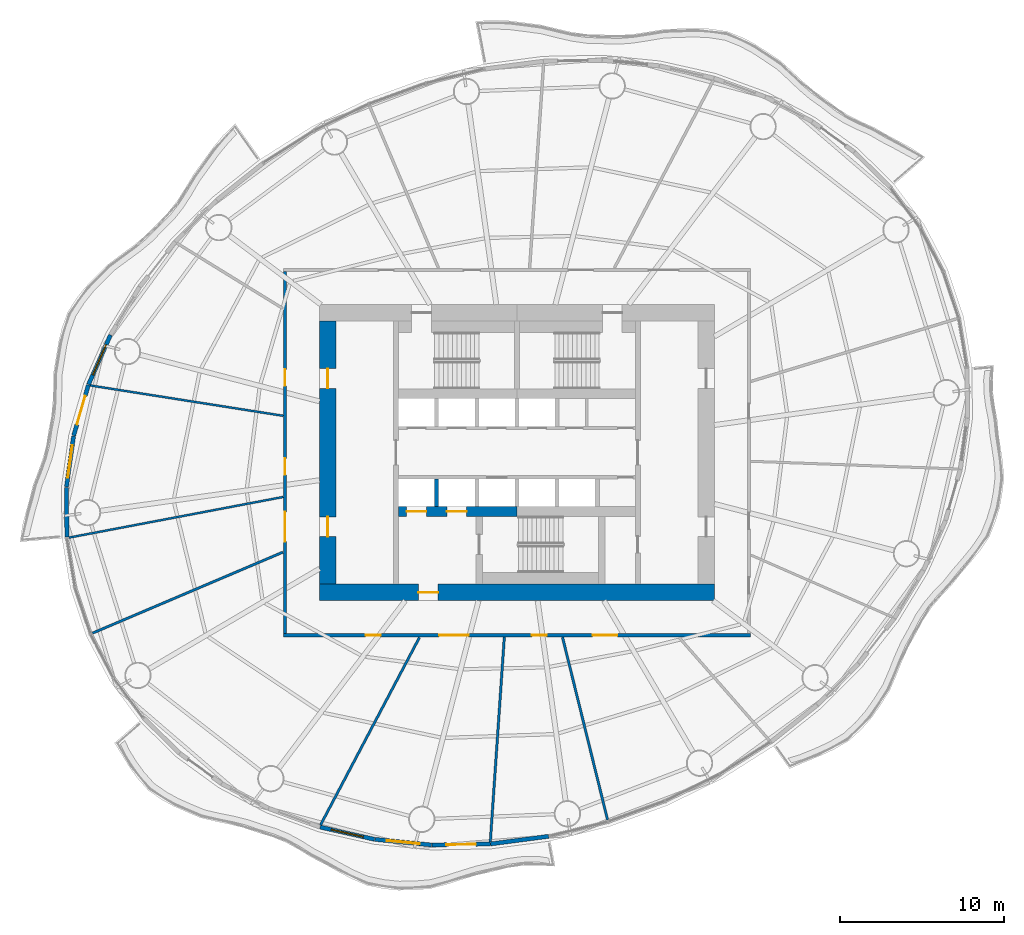
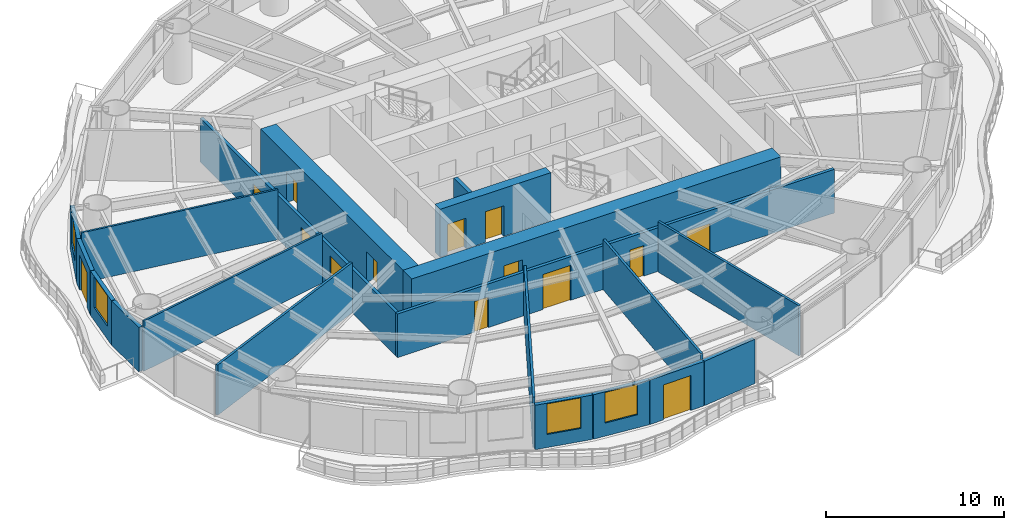
# One storey, part 8 of 14: 20 walls, 14 doors, 4 windows, 18 openings.
"""IFC4 building model written with IfcOpenShell, lengths in metres."""

from ifc_helpers import new_model, si_unit, direction, frame, frame_2d, origin, place, context, subcontext, project, spatial, rectangle, extrude, material, layer, layer_set, type_object, element, fill, save


model = new_model("IFC4")

# Units and contexts
model_context = context("Model", 3, precision=1e-05, world=origin(), true_north=direction((0.0, 1.0)))
body_context = subcontext(model_context, "Body", "Model", "MODEL_VIEW")
ifc_project = project(units=[si_unit("LENGTHUNIT", "METRE"), si_unit("AREAUNIT", "SQUARE_METRE"), si_unit("VOLUMEUNIT", "CUBIC_METRE"), si_unit("PLANEANGLEUNIT", "RADIAN"), si_unit("MASSUNIT", "GRAM", prefix="KILO")], contexts=[model_context])

# Site, building, storey
site_placement = place(None, origin())
site = spatial("IfcSite", under=ifc_project, at=site_placement, CompositionType="ELEMENT")
building_placement = place(site_placement, origin())
building = spatial("IfcBuilding", under=site, at=building_placement, Name="Vermilion Reach Broadcast Tower", CompositionType="ELEMENT")
storey_placement = place(building_placement, frame((0.0, 0.0, 124.60009765625)))
storey = spatial("IfcBuildingStorey", under=building, at=storey_placement, Name="L29", CompositionType="ELEMENT", Elevation=124.60009765625)

# Wall, openings, doors
ifc_material_1 = material(Name="Concrete C70", Category="concrete")
ifc_layer_1 = layer(ifc_material_1, 0.60009765625)
ifc_layer_set_1 = layer_set([ifc_layer_1], Name="Core inner wall 600 mm Concrete C70")
wall_type_1 = type_object("IfcWallType", Name="Core inner wall 600 mm Concrete C70", PredefinedType="SHEAR", material=ifc_layer_set_1)
wall_1_placement = place(storey_placement, frame((-13.199951171875, -3.580078125, 0.0), z_axis=(0.0, 0.0, 1.0), x_axis=(1.0, 0.0, 0.0)))
wall_1 = element("IfcWall", 1, at=wall_1_placement, inside=storey, type_object=wall_type_1, Name="L29 core wall wisW", PredefinedType="SHEAR", context=body_context, shape_type="SweptSolid", body=[
    extrude(rectangle(XDim=7.199951171875, YDim=0.60009765625, at=frame_2d((3.60009765625, 0.0))), origin(), (0.0, 0.0, 1.0), 3.2998046875),
])
opening_1_placement = place(wall_1_placement, frame((0.495849609375, 0.0, 0.0)))
opening_1 = element("IfcOpeningElement", 2, at=opening_1_placement, cuts=wall_1, Name="Opening LD1", PredefinedType="OPENING", context=body_context, shape_type="SweptSolid", body=[
    extrude(rectangle(XDim=1.199951171875, YDim=2.10009765625, at=frame_2d((0.60009765625, 1.050048828125))), frame((0.0, 0.31005859375, 0.0), z_axis=(0.0, -1.0, 0.0), x_axis=(1.0, 0.0, 0.0)), (0.0, 0.0, 1.0), 0.6201171875),
])
opening_2_placement = place(wall_1_placement, frame((2.9375, 0.0, 0.0)))
opening_2 = element("IfcOpeningElement", 3, at=opening_2_placement, cuts=wall_1, Name="Opening LD1", PredefinedType="OPENING", context=body_context, shape_type="SweptSolid", body=[
    extrude(rectangle(XDim=1.199951171875, YDim=2.10009765625, at=frame_2d((0.60009765625, 1.050048828125))), frame((0.0, 0.31005859375, 0.0), z_axis=(0.0, -1.0, 0.0), x_axis=(1.0, 0.0, 0.0)), (0.0, 0.0, 1.0), 0.6201171875),
])
ifc_material_2 = material(Name="Stainless steel", Category="steel")
door_type_1 = type_object("IfcDoorType", Name="Landing door 1200 x 2100", OperationType="DOUBLE_DOOR_SLIDING", PredefinedType="NOTDEFINED", material=ifc_material_2)
door_1_placement = place(opening_1_placement, origin())
door_1 = element("IfcDoor", 4, at=door_1_placement, inside=storey, type_object=door_type_1, Name="L29 landing door FF1", OperationType="DOUBLE_DOOR_SLIDING", OverallHeight=2.10009765625, OverallWidth=1.199951171875, PredefinedType="NOTDEFINED", context=body_context, shape_type="SweptSolid", body=[
    extrude(rectangle(XDim=1.199951171875, YDim=2.10009765625, at=frame_2d((0.60009765625, 1.050048828125))), frame((0.0, 0.02490234375, 0.0), z_axis=(0.0, -1.0, 0.0), x_axis=(1.0, 0.0, 0.0)), (0.0, 0.0, 1.0), 0.050048828125),
])
fill(opening_1, door_1)
door_2_placement = place(opening_2_placement, origin())
door_2 = element("IfcDoor", 5, at=door_2_placement, inside=storey, type_object=door_type_1, Name="L29 landing door FF2", OperationType="DOUBLE_DOOR_SLIDING", OverallHeight=2.10009765625, OverallWidth=1.199951171875, PredefinedType="NOTDEFINED", context=body_context, shape_type="SweptSolid", body=[
    extrude(rectangle(XDim=1.199951171875, YDim=2.10009765625, at=frame_2d((0.60009765625, 1.050048828125))), frame((0.0, 0.02490234375, 0.0), z_axis=(0.0, -1.0, 0.0), x_axis=(1.0, 0.0, 0.0)), (0.0, 0.0, 1.0), 0.050048828125),
])
fill(opening_2, door_2)

# Wall, opening, door
ifc_material_3 = material(Name="Concrete C70", Category="concrete")
ifc_layer_2 = layer(ifc_material_3, 1.0)
ifc_layer_set_2 = layer_set([ifc_layer_2], Name="Core outer wall 1000 mm Concrete C70")
wall_type_2 = type_object("IfcWallType", Name="Core outer wall 1000 mm Concrete C70", PredefinedType="SHEAR", material=ifc_layer_set_2)
wall_2_placement = place(storey_placement, frame((-18.0, -8.5, 0.0), z_axis=(0.0, 0.0, 1.0), x_axis=(1.0, 0.0, 0.0)))
wall_2 = element("IfcWall", 6, at=wall_2_placement, inside=storey, type_object=wall_type_2, Name="L29 core wall os", PredefinedType="SHEAR", context=body_context, shape_type="SweptSolid", body=[
    extrude(rectangle(XDim=24.0, YDim=1.0, at=frame_2d((12.0, 0.0))), origin(), (0.0, 0.0, 1.0), 3.2998046875),
])
opening_3_placement = place(wall_2_placement, frame((6.0, 0.0, 0.0)))
opening_3 = element("IfcOpeningElement", 7, at=opening_3_placement, cuts=wall_2, Name="Opening D02", PredefinedType="OPENING", context=body_context, shape_type="SweptSolid", body=[
    extrude(rectangle(XDim=1.199951171875, YDim=2.10009765625, at=frame_2d((0.60009765625, 1.050048828125))), frame((0.0, 0.510009765625, 0.0), z_axis=(0.0, -1.0, 0.0), x_axis=(1.0, 0.0, 0.0)), (0.0, 0.0, 1.0), 1.02001953125),
])
ifc_material_4 = material(Name="Painted steel fire door", Category="steel")
door_type_2 = type_object("IfcDoorType", Name="Firefighting lobby door 1200 x 2100", OperationType="DOUBLE_DOOR_SINGLE_SWING", PredefinedType="NOTDEFINED", material=ifc_material_4)
door_3_placement = place(opening_3_placement, origin())
door_3 = element("IfcDoor", 8, at=door_3_placement, inside=storey, type_object=door_type_2, Name="L29 ffdoor door FFL", OperationType="DOUBLE_DOOR_SINGLE_SWING", OverallHeight=2.10009765625, OverallWidth=1.199951171875, PredefinedType="NOTDEFINED", context=body_context, shape_type="SweptSolid", body=[
    extrude(rectangle(XDim=1.199951171875, YDim=2.10009765625, at=frame_2d((0.60009765625, 1.050048828125))), frame((0.0, 0.02490234375, 0.0), z_axis=(0.0, -1.0, 0.0), x_axis=(1.0, 0.0, 0.0)), (0.0, 0.0, 1.0), 0.050048828125),
])
fill(opening_3, door_3)

# Wall, openings, doors
wall_3_placement = place(storey_placement, frame((-17.5, 8.0, 0.0), z_axis=(0.0, 0.0, 1.0), x_axis=(0.0, -1.0, 0.0)))
wall_3 = element("IfcWall", 9, at=wall_3_placement, inside=storey, type_object=wall_type_2, Name="L29 core wall ow", PredefinedType="SHEAR", context=body_context, shape_type="SweptSolid", body=[
    extrude(rectangle(XDim=16.0, YDim=1.0, at=frame_2d((8.0, 0.0))), origin(), (0.0, 0.0, 1.0), 3.2998046875),
])
opening_4_placement = place(wall_3_placement, frame((11.89990234375, 0.0, 0.0)))
opening_4 = element("IfcOpeningElement", 10, at=opening_4_placement, cuts=wall_3, Name="Opening D03", PredefinedType="OPENING", context=body_context, shape_type="SweptSolid", body=[
    extrude(rectangle(XDim=1.199951171875, YDim=2.10009765625, at=frame_2d((0.60009765625, 1.050048828125))), frame((0.0, 0.510009765625, 0.0), z_axis=(0.0, -1.0, 0.0), x_axis=(1.0, 0.0, 0.0)), (0.0, 0.0, 1.0), 1.02001953125),
])
opening_5_placement = place(wall_3_placement, frame((2.89990234375, 0.0, 0.0)))
opening_5 = element("IfcOpeningElement", 11, at=opening_5_placement, cuts=wall_3, Name="Opening D03", PredefinedType="OPENING", context=body_context, shape_type="SweptSolid", body=[
    extrude(rectangle(XDim=1.199951171875, YDim=2.10009765625, at=frame_2d((0.60009765625, 1.050048828125))), frame((0.0, 0.510009765625, 0.0), z_axis=(0.0, -1.0, 0.0), x_axis=(1.0, 0.0, 0.0)), (0.0, 0.0, 1.0), 1.02001953125),
])
ifc_material_5 = material(Name="Painted steel fire door", Category="steel")
door_type_3 = type_object("IfcDoorType", Name="Core lobby door 1200 x 2100", OperationType="DOUBLE_DOOR_SINGLE_SWING", PredefinedType="NOTDEFINED", material=ifc_material_5)
door_4_placement = place(opening_4_placement, origin())
door_4 = element("IfcDoor", 12, at=door_4_placement, inside=storey, type_object=door_type_3, Name="L29 slot door W0", OperationType="DOUBLE_DOOR_SINGLE_SWING", OverallHeight=2.10009765625, OverallWidth=1.199951171875, PredefinedType="NOTDEFINED", context=body_context, shape_type="SweptSolid", body=[
    extrude(rectangle(XDim=1.199951171875, YDim=2.10009765625, at=frame_2d((0.60009765625, 1.050048828125))), frame((0.0, 0.02490234375, 0.0), z_axis=(0.0, -1.0, 0.0), x_axis=(1.0, 0.0, 0.0)), (0.0, 0.0, 1.0), 0.050048828125),
])
fill(opening_4, door_4)
door_5_placement = place(opening_5_placement, origin())
door_5 = element("IfcDoor", 13, at=door_5_placement, inside=storey, type_object=door_type_3, Name="L29 slot door W1", OperationType="DOUBLE_DOOR_SINGLE_SWING", OverallHeight=2.10009765625, OverallWidth=1.199951171875, PredefinedType="NOTDEFINED", context=body_context, shape_type="SweptSolid", body=[
    extrude(rectangle(XDim=1.199951171875, YDim=2.10009765625, at=frame_2d((0.60009765625, 1.050048828125))), frame((0.0, 0.02490234375, 0.0), z_axis=(0.0, -1.0, 0.0), x_axis=(1.0, 0.0, 0.0)), (0.0, 0.0, 1.0), 0.050048828125),
])
fill(opening_5, door_5)

# Walls
ifc_material_6 = material(Name="Concrete C50", Category="concrete")
ifc_layer_3 = layer(ifc_material_6, 0.25)
ifc_layer_set_3 = layer_set([ifc_layer_3], Name="Core shaft wall 250 mm Concrete C50")
wall_type_3 = type_object("IfcWallType", Name="Core shaft wall 250 mm Concrete C50", PredefinedType="SHEAR", material=ifc_layer_set_3)
wall_4_placement = place(storey_placement, frame((-10.88330078125, -1.60009765625, 0.0), z_axis=(0.0, 0.0, 1.0), x_axis=(0.0, -1.0, 0.0)))
element("IfcWall", 14, at=wall_4_placement, inside=storey, type_object=wall_type_3, Name="L29 core wall psS0", PredefinedType="SHEAR", context=body_context, shape_type="SweptSolid", body=[
    extrude(rectangle(XDim=1.679931640625, YDim=0.25, at=frame_2d((0.83984375, 0.0))), origin(), (0.0, 0.0, 1.0), 3.2998046875),
])
ifc_material_7 = material(Name="Fire-rated plasterboard on steel stud", Category="steel")
ifc_layer_4 = layer(ifc_material_7, 0.125)
ifc_layer_set_4 = layer_set([ifc_layer_4], Name="Partition 125 fire-rated stud")
wall_type_4 = type_object("IfcWallType", Name="Partition 125 fire-rated stud", PredefinedType="PARTITIONING", material=ifc_layer_set_4)
wall_5_placement = place(storey_placement, frame((-31.93603515625, 4.082275390625, 0.0), z_axis=(0.0, 0.0, 1.0), x_axis=(0.98783839034, -0.155484129645, 0.0)))
element("IfcWall", 15, at=wall_5_placement, inside=storey, type_object=wall_type_4, Name="Partition 29.05", PredefinedType="PARTITIONING", context=body_context, shape_type="SweptSolid", body=[
    extrude(rectangle(XDim=11.87060546875, YDim=0.125, at=frame_2d((5.935302734375, 0.0))), origin(), (0.0, 0.0, 1.0), 3.449951171875),
])
wall_6_placement = place(storey_placement, frame((-33.237548828125, -5.16796875, 0.0), z_axis=(0.0, 0.0, 1.0), x_axis=(0.982472572184, 0.186407201863, 0.0)))
element("IfcWall", 16, at=wall_6_placement, inside=storey, type_object=wall_type_4, Name="Partition 29.06", PredefinedType="PARTITIONING", context=body_context, shape_type="SweptSolid", body=[
    extrude(rectangle(XDim=13.25830078125, YDim=0.125, at=frame_2d((6.629150390625, 0.0))), origin(), (0.0, 0.0, 1.0), 3.449951171875),
])
ifc_material_8 = material(Name="Lightweight concrete block, plastered", Category="concrete")
ifc_layer_5 = layer(ifc_material_8, 0.14990234375)
ifc_layer_set_5 = layer_set([ifc_layer_5], Name="Partition 150 lightweight block")
wall_type_5 = type_object("IfcWallType", Name="Partition 150 lightweight block", PredefinedType="PARTITIONING", material=ifc_layer_set_5)
wall_7_placement = place(storey_placement, frame((-31.7998046875, -10.97265625, 0.0), z_axis=(0.0, 0.0, 1.0), x_axis=(0.920233208225, 0.391370467052, 0.0)))
element("IfcWall", 17, at=wall_7_placement, inside=storey, type_object=wall_type_5, Name="Partition 29.07", PredefinedType="PARTITIONING", context=body_context, shape_type="SweptSolid", body=[
    extrude(rectangle(XDim=12.573486328125, YDim=0.14990234375, at=frame_2d((6.28662109375, 0.0))), origin(), (0.0, 0.0, 1.0), 3.449951171875),
])
wall_8_placement = place(storey_placement, frame((-17.9462890625, -22.644287109375, 0.0), z_axis=(0.0, 0.0, 1.0), x_axis=(0.466623744036, 0.884455924002, 0.0)))
element("IfcWall", 18, at=wall_8_placement, inside=storey, type_object=wall_type_5, Name="Partition 29.08", PredefinedType="PARTITIONING", context=body_context, shape_type="SweptSolid", body=[
    extrude(rectangle(XDim=12.899658203125, YDim=0.14990234375, at=frame_2d((6.44970703125, 0.0))), origin(), (0.0, 0.0, 1.0), 3.449951171875),
])
wall_9_placement = place(storey_placement, frame((-7.62158203125, -23.667236328125, 0.0), z_axis=(0.0, 0.0, 1.0), x_axis=(0.068347975622, 0.997661542923, 0.0)))
element("IfcWall", 19, at=wall_9_placement, inside=storey, type_object=wall_type_5, Name="Partition 29.09", PredefinedType="PARTITIONING", context=body_context, shape_type="SweptSolid", body=[
    extrude(rectangle(XDim=12.491455078125, YDim=0.14990234375, at=frame_2d((6.24560546875, 0.0))), origin(), (0.0, 0.0, 1.0), 3.449951171875),
])
wall_10_placement = place(storey_placement, frame((-0.492431640625, -22.32568359375, 0.0), z_axis=(0.0, 0.0, 1.0), x_axis=(-0.239516767383, 0.970892227872, 0.0)))
element("IfcWall", 20, at=wall_10_placement, inside=storey, type_object=wall_type_5, Name="Partition 29.10", PredefinedType="PARTITIONING", context=body_context, shape_type="SweptSolid", body=[
    extrude(rectangle(XDim=11.440673828125, YDim=0.14990234375, at=frame_2d((5.72021484375, 0.0))), origin(), (0.0, 0.0, 1.0), 3.449951171875),
])

# Wall, opening, window
ifc_material_9 = material(Name="Terracotta rainscreen cladding", Category="masonry")
ifc_layer_6 = layer(ifc_material_9, 0.25)
ifc_layer_set_6 = layer_set([ifc_layer_6], Name="Terracotta rainscreen wall 250")
wall_type_6 = type_object("IfcWallType", Name="Terracotta rainscreen wall 250", PredefinedType="SOLIDWALL", material=ifc_layer_set_6)
wall_11_placement = place(storey_placement, frame((-30.713134765625, 7.1494140625, 0.0), z_axis=(0.0, 0.0, 1.0), x_axis=(-0.405155306017, -0.914247875582, 0.0)))
wall_11 = element("IfcWall", 21, at=wall_11_placement, inside=storey, type_object=wall_type_6, Name="External wall L29 18", PredefinedType="SOLIDWALL", context=body_context, shape_type="SweptSolid", body=[
    extrude(rectangle(XDim=3.295654296875, YDim=0.25, at=frame_2d((1.64794921875, 0.0))), origin(), (0.0, 0.0, 1.0), 3.0498046875),
])
opening_6_placement = place(wall_11_placement, frame((0.647705078125, 0.0, 0.89990234375)))
opening_6 = element("IfcOpeningElement", 22, at=opening_6_placement, cuts=wall_11, Name="Opening W03", PredefinedType="OPENING", context=body_context, shape_type="SweptSolid", body=[
    extrude(rectangle(XDim=2.0, YDim=2.10009765625, at=frame_2d((1.0, 1.050048828125))), frame((0.0, 0.135009765625, 0.0), z_axis=(0.0, -1.0, 0.0), x_axis=(1.0, 0.0, 0.0)), (0.0, 0.0, 1.0), 0.27001953125),
])
ifc_material_10 = material(Name="Low-e laminated clear glass in aluminium frame", Category="aluminium")
window_type = type_object("IfcWindowType", Name="Punched window 2000 x 2100 sill 900", PartitioningType="SINGLE_PANEL", PredefinedType="WINDOW", material=ifc_material_10)
window_1_placement = place(opening_6_placement, origin())
window_1 = element("IfcWindow", 23, at=window_1_placement, inside=storey, type_object=window_type, Name="Window L29 18", OverallHeight=2.10009765625, OverallWidth=2.0, PartitioningType="SINGLE_PANEL", PredefinedType="WINDOW", context=body_context, shape_type="SweptSolid", body=[
    extrude(rectangle(XDim=2.0, YDim=2.10009765625, at=frame_2d((1.0, 1.050048828125))), frame((0.0, 0.030029296875, 0.0), z_axis=(0.0, -1.0, 0.0), x_axis=(1.0, 0.0, 0.0)), (0.0, 0.0, 1.0), 0.06005859375),
])
fill(opening_6, window_1)

# Wall, opening, door
wall_12_placement = place(storey_placement, frame((-32.056884765625, 4.113037109375, 0.0), z_axis=(0.0, 0.0, 1.0), x_axis=(-0.27825961791, -0.960505900576, 0.0)))
wall_12 = element("IfcWall", 24, at=wall_12_placement, inside=storey, type_object=wall_type_6, Name="External wall L29 19", PredefinedType="SOLIDWALL", context=body_context, shape_type="SweptSolid", body=[
    extrude(rectangle(XDim=3.2060546875, YDim=0.25, at=frame_2d((1.60302734375, 0.0))), origin(), (0.0, 0.0, 1.0), 3.0498046875),
])
opening_7_placement = place(wall_12_placement, frame((0.702880859375, 0.0, 0.0)))
opening_7 = element("IfcOpeningElement", 25, at=opening_7_placement, cuts=wall_12, Name="Opening D70", PredefinedType="OPENING", context=body_context, shape_type="SweptSolid", body=[
    extrude(rectangle(XDim=1.800048828125, YDim=2.39990234375, at=frame_2d((0.89990234375, 1.199951171875))), frame((0.0, 0.135009765625, 0.0), z_axis=(0.0, -1.0, 0.0), x_axis=(1.0, 0.0, 0.0)), (0.0, 0.0, 1.0), 0.27001953125),
])
ifc_material_11 = material(Name="Low-e laminated clear glass in aluminium frame", Category="aluminium")
door_type_4 = type_object("IfcDoorType", Name="Balcony sliding door 1800 x 2400", OperationType="DOUBLE_DOOR_SLIDING", PredefinedType="DOOR", material=ifc_material_11)
door_6_placement = place(opening_7_placement, origin())
door_6 = element("IfcDoor", 26, at=door_6_placement, inside=storey, type_object=door_type_4, Name="Balcony door L29 run 05", OperationType="DOUBLE_DOOR_SLIDING", OverallHeight=2.39990234375, OverallWidth=1.800048828125, PredefinedType="DOOR", context=body_context, shape_type="SweptSolid", body=[
    extrude(rectangle(XDim=1.800048828125, YDim=2.39990234375, at=frame_2d((0.89990234375, 1.199951171875))), frame((0.0, 0.02490234375, 0.0), z_axis=(0.0, -1.0, 0.0), x_axis=(1.0, 0.0, 0.0)), (0.0, 0.0, 1.0), 0.050048828125),
])
fill(opening_7, door_6)

# Wall, opening, window
wall_13_placement = place(storey_placement, frame((-32.954345703125, 1.008544921875, 0.0), z_axis=(0.0, 0.0, 1.0), x_axis=(-0.139133868146, -0.990273581762, 0.0)))
wall_13 = element("IfcWall", 27, at=wall_13_placement, inside=storey, type_object=wall_type_6, Name="External wall L29 20", PredefinedType="SOLIDWALL", context=body_context, shape_type="SweptSolid", body=[
    extrude(rectangle(XDim=3.123291015625, YDim=0.25, at=frame_2d((1.5615234375, 0.0))), origin(), (0.0, 0.0, 1.0), 3.0498046875),
])
opening_8_placement = place(wall_13_placement, frame((0.561767578125, 0.0, 0.89990234375)))
opening_8 = element("IfcOpeningElement", 28, at=opening_8_placement, cuts=wall_13, Name="Opening W03", PredefinedType="OPENING", context=body_context, shape_type="SweptSolid", body=[
    extrude(rectangle(XDim=2.0, YDim=2.10009765625, at=frame_2d((1.0, 1.050048828125))), frame((0.0, 0.135009765625, 0.0), z_axis=(0.0, -1.0, 0.0), x_axis=(1.0, 0.0, 0.0)), (0.0, 0.0, 1.0), 0.27001953125),
])
window_2_placement = place(opening_8_placement, origin())
window_2 = element("IfcWindow", 29, at=window_2_placement, inside=storey, type_object=window_type, Name="Window L29 20", OverallHeight=2.10009765625, OverallWidth=2.0, PartitioningType="SINGLE_PANEL", PredefinedType="WINDOW", context=body_context, shape_type="SweptSolid", body=[
    extrude(rectangle(XDim=2.0, YDim=2.10009765625, at=frame_2d((1.0, 1.050048828125))), frame((0.0, 0.030029296875, 0.0), z_axis=(0.0, -1.0, 0.0), x_axis=(1.0, 0.0, 0.0)), (0.0, 0.0, 1.0), 0.06005859375),
])
fill(opening_8, window_2)

# Wall
wall_14_placement = place(storey_placement, frame((-33.390869140625, -2.111083984375, 0.0), z_axis=(0.0, 0.0, 1.0), x_axis=(0.009399908842, -0.999955819881, 0.0)))
element("IfcWall", 30, at=wall_14_placement, inside=storey, type_object=wall_type_6, Name="External wall L29 21", PredefinedType="SOLIDWALL", context=body_context, shape_type="SweptSolid", body=[
    extrude(rectangle(XDim=3.012939453125, YDim=0.25, at=frame_2d((1.50634765625, 0.0))), origin(), (0.0, 0.0, 1.0), 3.0498046875),
])

# Wall, opening, window
wall_15_placement = place(storey_placement, frame((-17.969482421875, -22.76708984375, 0.0), z_axis=(0.0, 0.0, 1.0), x_axis=(0.975690768568, -0.219151828949, 0.0)))
wall_15 = element("IfcWall", 31, at=wall_15_placement, inside=storey, type_object=wall_type_6, Name="External wall L29 30", PredefinedType="SOLIDWALL", context=body_context, shape_type="SweptSolid", body=[
    extrude(rectangle(XDim=3.385498046875, YDim=0.25, at=frame_2d((1.69287109375, 0.0))), origin(), (0.0, 0.0, 1.0), 3.0498046875),
])
opening_9_placement = place(wall_15_placement, frame((0.69287109375, 0.0, 0.89990234375)))
opening_9 = element("IfcOpeningElement", 32, at=opening_9_placement, cuts=wall_15, Name="Opening W03", PredefinedType="OPENING", context=body_context, shape_type="SweptSolid", body=[
    extrude(rectangle(XDim=2.0, YDim=2.10009765625, at=frame_2d((1.0, 1.050048828125))), frame((0.0, 0.135009765625, 0.0), z_axis=(0.0, -1.0, 0.0), x_axis=(1.0, 0.0, 0.0)), (0.0, 0.0, 1.0), 0.27001953125),
])
window_3_placement = place(opening_9_placement, origin())
window_3 = element("IfcWindow", 33, at=window_3_placement, inside=storey, type_object=window_type, Name="Window L29 30", OverallHeight=2.10009765625, OverallWidth=2.0, PartitioningType="SINGLE_PANEL", PredefinedType="WINDOW", context=body_context, shape_type="SweptSolid", body=[
    extrude(rectangle(XDim=2.0, YDim=2.10009765625, at=frame_2d((1.0, 1.050048828125))), frame((0.0, 0.030029296875, 0.0), z_axis=(0.0, -1.0, 0.0), x_axis=(1.0, 0.0, 0.0)), (0.0, 0.0, 1.0), 0.06005859375),
])
fill(opening_9, window_3)

wall_16_placement = place(storey_placement, frame((-14.643310546875, -23.5126953125, 0.0), z_axis=(0.0, 0.0, 1.0), x_axis=(0.995116970578, -0.09870265887, 0.0)))
wall_16 = element("IfcWall", 34, at=wall_16_placement, inside=storey, type_object=wall_type_6, Name="External wall L29 31", PredefinedType="SOLIDWALL", context=body_context, shape_type="SweptSolid", body=[
    extrude(rectangle(XDim=3.47021484375, YDim=0.25, at=frame_2d((1.735107421875, 0.0))), origin(), (0.0, 0.0, 1.0), 3.0498046875),
])
opening_10_placement = place(wall_16_placement, frame((0.735107421875, 0.0, 0.89990234375)))
opening_10 = element("IfcOpeningElement", 35, at=opening_10_placement, cuts=wall_16, Name="Opening W03", PredefinedType="OPENING", context=body_context, shape_type="SweptSolid", body=[
    extrude(rectangle(XDim=2.0, YDim=2.10009765625, at=frame_2d((1.0, 1.050048828125))), frame((0.0, 0.135009765625, 0.0), z_axis=(0.0, -1.0, 0.0), x_axis=(1.0, 0.0, 0.0)), (0.0, 0.0, 1.0), 0.27001953125),
])
window_4_placement = place(opening_10_placement, origin())
window_4 = element("IfcWindow", 36, at=window_4_placement, inside=storey, type_object=window_type, Name="Window L29 31", OverallHeight=2.10009765625, OverallWidth=2.0, PartitioningType="SINGLE_PANEL", PredefinedType="WINDOW", context=body_context, shape_type="SweptSolid", body=[
    extrude(rectangle(XDim=2.0, YDim=2.10009765625, at=frame_2d((1.0, 1.050048828125))), frame((0.0, 0.030029296875, 0.0), z_axis=(0.0, -1.0, 0.0), x_axis=(1.0, 0.0, 0.0)), (0.0, 0.0, 1.0), 0.06005859375),
])
fill(opening_10, window_4)

# Wall, opening, door
wall_17_placement = place(storey_placement, frame((-11.167236328125, -23.856201171875, 0.0), z_axis=(0.0, 0.0, 1.0), x_axis=(0.999835910543, 0.018114965863, 0.0)))
wall_17 = element("IfcWall", 37, at=wall_17_placement, inside=storey, type_object=wall_type_6, Name="External wall L29 32", PredefinedType="SOLIDWALL", context=body_context, shape_type="SweptSolid", body=[
    extrude(rectangle(XDim=3.54443359375, YDim=0.25, at=frame_2d((1.772216796875, 0.0))), origin(), (0.0, 0.0, 1.0), 3.0498046875),
])
opening_11_placement = place(wall_17_placement, frame((0.8720703125, 0.0, 0.0)))
opening_11 = element("IfcOpeningElement", 38, at=opening_11_placement, cuts=wall_17, Name="Opening D70", PredefinedType="OPENING", context=body_context, shape_type="SweptSolid", body=[
    extrude(rectangle(XDim=1.800048828125, YDim=2.39990234375, at=frame_2d((0.89990234375, 1.199951171875))), frame((0.0, 0.135009765625, 0.0), z_axis=(0.0, -1.0, 0.0), x_axis=(1.0, 0.0, 0.0)), (0.0, 0.0, 1.0), 0.27001953125),
])
door_7_placement = place(opening_11_placement, origin())
door_7 = element("IfcDoor", 39, at=door_7_placement, inside=storey, type_object=door_type_4, Name="Balcony door L29 run 08", OperationType="DOUBLE_DOOR_SLIDING", OverallHeight=2.39990234375, OverallWidth=1.800048828125, PredefinedType="DOOR", context=body_context, shape_type="SweptSolid", body=[
    extrude(rectangle(XDim=1.800048828125, YDim=2.39990234375, at=frame_2d((0.89990234375, 1.199951171875))), frame((0.0, 0.02490234375, 0.0), z_axis=(0.0, -1.0, 0.0), x_axis=(1.0, 0.0, 0.0)), (0.0, 0.0, 1.0), 0.050048828125),
])
fill(opening_11, door_7)

# Wall
wall_18_placement = place(storey_placement, frame((-7.601318359375, -23.790283203125, 0.0), z_axis=(0.0, 0.0, 1.0), x_axis=(0.991455229273, 0.130447416026, 0.0)))
element("IfcWall", 40, at=wall_18_placement, inside=storey, type_object=wall_type_6, Name="External wall L29 33", PredefinedType="SOLIDWALL", context=body_context, shape_type="SweptSolid", body=[
    extrude(rectangle(XDim=3.559814453125, YDim=0.25, at=frame_2d((1.77978515625, 0.0))), origin(), (0.0, 0.0, 1.0), 3.0498046875),
])

# Wall, openings, doors
ifc_material_12 = material(Name="Fire-rated gypsum board partition")
ifc_layer_7 = layer(ifc_material_12, 0.199951171875)
ifc_layer_set_7 = layer_set([ifc_layer_7], Name="Under girder: Corridor wall 200 fire-rated")
wall_type_7 = type_object("IfcWallType", Name="Under girder: Corridor wall 200 fire-rated", PredefinedType="PARTITIONING", material=ifc_layer_set_7)
wall_19_placement = place(storey_placement, frame((8.199951171875, -11.10009765625, 0.0), z_axis=(0.0, 0.0, 1.0), x_axis=(-1.0, 0.0, 0.0)))
wall_19 = element("IfcWall", 41, at=wall_19_placement, inside=storey, type_object=wall_type_7, Name="Corridor wall 29.S", PredefinedType="PARTITIONING", context=body_context, shape_type="SweptSolid", body=[
    extrude(rectangle(XDim=28.39990234375, YDim=0.199951171875, at=frame_2d((14.199951171875, 0.0))), origin(), (0.0, 0.0, 1.0), 3.0),
])
opening_12_placement = place(wall_19_placement, frame((22.49609375, 0.0, 0.0)))
opening_12 = element("IfcOpeningElement", 42, at=opening_12_placement, cuts=wall_19, Name="Opening D22", PredefinedType="OPENING", context=body_context, shape_type="SweptSolid", body=[
    extrude(rectangle(XDim=0.89990234375, YDim=2.10009765625, at=frame_2d((0.449951171875, 1.050048828125))), frame((0.0, 0.10986328125, 0.0), z_axis=(0.0, -1.0, 0.0), x_axis=(1.0, 0.0, 0.0)), (0.0, 0.0, 1.0), 0.219970703125),
])
opening_13_placement = place(wall_19_placement, frame((17.13623046875, 0.0, 0.0)))
opening_13 = element("IfcOpeningElement", 43, at=opening_13_placement, cuts=wall_19, Name="Opening D27", PredefinedType="OPENING", context=body_context, shape_type="SweptSolid", body=[
    extrude(rectangle(XDim=1.800048828125, YDim=2.39990234375, at=frame_2d((0.89990234375, 1.199951171875))), frame((0.0, 0.10986328125, 0.0), z_axis=(0.0, -1.0, 0.0), x_axis=(1.0, 0.0, 0.0)), (0.0, 0.0, 1.0), 0.219970703125),
])
opening_14_placement = place(wall_19_placement, frame((12.396240234375, 0.0, 0.0)))
opening_14 = element("IfcOpeningElement", 44, at=opening_14_placement, cuts=wall_19, Name="Opening D22", PredefinedType="OPENING", context=body_context, shape_type="SweptSolid", body=[
    extrude(rectangle(XDim=0.89990234375, YDim=2.10009765625, at=frame_2d((0.449951171875, 1.050048828125))), frame((0.0, 0.10986328125, 0.0), z_axis=(0.0, -1.0, 0.0), x_axis=(1.0, 0.0, 0.0)), (0.0, 0.0, 1.0), 0.219970703125),
])
opening_15_placement = place(wall_19_placement, frame((8.09912109375, 0.0, 0.0)))
opening_15 = element("IfcOpeningElement", 45, at=opening_15_placement, cuts=wall_19, Name="Opening D24", PredefinedType="OPENING", context=body_context, shape_type="SweptSolid", body=[
    extrude(rectangle(XDim=1.5, YDim=2.10009765625, at=frame_2d((0.75, 1.050048828125))), frame((0.0, 0.10986328125, 0.0), z_axis=(0.0, -1.0, 0.0), x_axis=(1.0, 0.0, 0.0)), (0.0, 0.0, 1.0), 0.219970703125),
])
ifc_material_13 = material(Name="Timber door leaf", Category="wood")
door_type_5 = type_object("IfcDoorType", Name="Door pair 1500x2100", OperationType="NOTDEFINED", PredefinedType="DOOR", material=ifc_material_13)
door_8_placement = place(opening_15_placement, origin())
door_8 = element("IfcDoor", 46, at=door_8_placement, inside=storey, type_object=door_type_5, Name="Door 29.10", OperationType="DOUBLE_DOOR_SINGLE_SWING", OverallHeight=2.10009765625, OverallWidth=1.5, PredefinedType="DOOR", context=body_context, shape_type="SweptSolid", body=[
    extrude(rectangle(XDim=1.5, YDim=2.10009765625, at=frame_2d((0.75, 1.050048828125))), frame((0.0, 0.02490234375, 0.0), z_axis=(0.0, -1.0, 0.0), x_axis=(1.0, 0.0, 0.0)), (0.0, 0.0, 1.0), 0.050048828125),
])
fill(opening_15, door_8)
ifc_material_14 = material(Name="Acoustic timber door leaf", Category="wood")
door_type_6 = type_object("IfcDoorType", Name="Door pair 1800x2400", OperationType="NOTDEFINED", PredefinedType="DOOR", material=ifc_material_14)
door_9_placement = place(opening_13_placement, origin())
door_9 = element("IfcDoor", 47, at=door_9_placement, inside=storey, type_object=door_type_6, Name="Door 29.08", OperationType="DOUBLE_DOOR_SINGLE_SWING", OverallHeight=2.39990234375, OverallWidth=1.800048828125, PredefinedType="DOOR", context=body_context, shape_type="SweptSolid", body=[
    extrude(rectangle(XDim=1.800048828125, YDim=2.39990234375, at=frame_2d((0.89990234375, 1.199951171875))), frame((0.0, 0.02490234375, 0.0), z_axis=(0.0, -1.0, 0.0), x_axis=(1.0, 0.0, 0.0)), (0.0, 0.0, 1.0), 0.050048828125),
])
fill(opening_13, door_9)
ifc_material_15 = material(Name="Timber door leaf", Category="wood")
door_type_7 = type_object("IfcDoorType", Name="Door single 900x2100", OperationType="NOTDEFINED", PredefinedType="DOOR", material=ifc_material_15)
door_10_placement = place(opening_12_placement, origin())
door_10 = element("IfcDoor", 48, at=door_10_placement, inside=storey, type_object=door_type_7, Name="Door 29.07", OperationType="SINGLE_SWING_LEFT", OverallHeight=2.10009765625, OverallWidth=0.89990234375, PredefinedType="DOOR", context=body_context, shape_type="SweptSolid", body=[
    extrude(rectangle(XDim=0.89990234375, YDim=2.10009765625, at=frame_2d((0.449951171875, 1.050048828125))), frame((0.0, 0.02490234375, 0.0), z_axis=(0.0, -1.0, 0.0), x_axis=(1.0, 0.0, 0.0)), (0.0, 0.0, 1.0), 0.050048828125),
])
fill(opening_12, door_10)
door_11_placement = place(opening_14_placement, origin())
door_11 = element("IfcDoor", 49, at=door_11_placement, inside=storey, type_object=door_type_7, Name="Door 29.09", OperationType="SINGLE_SWING_LEFT", OverallHeight=2.10009765625, OverallWidth=0.89990234375, PredefinedType="DOOR", context=body_context, shape_type="SweptSolid", body=[
    extrude(rectangle(XDim=0.89990234375, YDim=2.10009765625, at=frame_2d((0.449951171875, 1.050048828125))), frame((0.0, 0.02490234375, 0.0), z_axis=(0.0, -1.0, 0.0), x_axis=(1.0, 0.0, 0.0)), (0.0, 0.0, 1.0), 0.050048828125),
])
fill(opening_14, door_11)

wall_20_placement = place(storey_placement, frame((-20.10009765625, -11.0, 0.0), z_axis=(0.0, 0.0, 1.0), x_axis=(0.0, 1.0, 0.0)))
wall_20 = element("IfcWall", 50, at=wall_20_placement, inside=storey, type_object=wall_type_7, Name="Corridor wall 29.W", PredefinedType="PARTITIONING", context=body_context, shape_type="SweptSolid", body=[
    extrude(rectangle(XDim=22.0, YDim=0.199951171875, at=frame_2d((11.0, 0.0))), origin(), (0.0, 0.0, 1.0), 3.0),
])
opening_16_placement = place(wall_20_placement, frame((15.057373046875, 0.0, 0.0)))
opening_16 = element("IfcOpeningElement", 51, at=opening_16_placement, cuts=wall_20, Name="Opening D20", PredefinedType="OPENING", context=body_context, shape_type="SweptSolid", body=[
    extrude(rectangle(XDim=1.0, YDim=2.10009765625, at=frame_2d((0.5, 1.050048828125))), frame((0.0, 0.10986328125, 0.0), z_axis=(0.0, -1.0, 0.0), x_axis=(1.0, 0.0, 0.0)), (0.0, 0.0, 1.0), 0.219970703125),
])
opening_17_placement = place(wall_20_placement, frame((9.6494140625, 0.0, 0.0)))
opening_17 = element("IfcOpeningElement", 52, at=opening_17_placement, cuts=wall_20, Name="Opening D23", PredefinedType="OPENING", context=body_context, shape_type="SweptSolid", body=[
    extrude(rectangle(XDim=1.0, YDim=2.39990234375, at=frame_2d((0.5, 1.199951171875))), frame((0.0, 0.10986328125, 0.0), z_axis=(0.0, -1.0, 0.0), x_axis=(1.0, 0.0, 0.0)), (0.0, 0.0, 1.0), 0.219970703125),
])
opening_18_placement = place(wall_20_placement, frame((5.59423828125, 0.0, 0.0)))
opening_18 = element("IfcOpeningElement", 53, at=opening_18_placement, cuts=wall_20, Name="Opening D27", PredefinedType="OPENING", context=body_context, shape_type="SweptSolid", body=[
    extrude(rectangle(XDim=1.800048828125, YDim=2.39990234375, at=frame_2d((0.89990234375, 1.199951171875))), frame((0.0, 0.10986328125, 0.0), z_axis=(0.0, -1.0, 0.0), x_axis=(1.0, 0.0, 0.0)), (0.0, 0.0, 1.0), 0.219970703125),
])
door_12_placement = place(opening_18_placement, origin())
door_12 = element("IfcDoor", 54, at=door_12_placement, inside=storey, type_object=door_type_6, Name="Door 29.06", OperationType="DOUBLE_DOOR_SINGLE_SWING", OverallHeight=2.39990234375, OverallWidth=1.800048828125, PredefinedType="DOOR", context=body_context, shape_type="SweptSolid", body=[
    extrude(rectangle(XDim=1.800048828125, YDim=2.39990234375, at=frame_2d((0.89990234375, 1.199951171875))), frame((0.0, 0.02490234375, 0.0), z_axis=(0.0, -1.0, 0.0), x_axis=(1.0, 0.0, 0.0)), (0.0, 0.0, 1.0), 0.050048828125),
])
fill(opening_18, door_12)
ifc_material_16 = material(Name="Timber door leaf", Category="wood")
door_type_8 = type_object("IfcDoorType", Name="Door single 1000x2100", OperationType="NOTDEFINED", PredefinedType="DOOR", material=ifc_material_16)
door_13_placement = place(opening_16_placement, origin())
door_13 = element("IfcDoor", 55, at=door_13_placement, inside=storey, type_object=door_type_8, Name="Door 29.04", OperationType="SINGLE_SWING_LEFT", OverallHeight=2.10009765625, OverallWidth=1.0, PredefinedType="DOOR", context=body_context, shape_type="SweptSolid", body=[
    extrude(rectangle(XDim=1.0, YDim=2.10009765625, at=frame_2d((0.5, 1.050048828125))), frame((0.0, 0.02490234375, 0.0), z_axis=(0.0, -1.0, 0.0), x_axis=(1.0, 0.0, 0.0)), (0.0, 0.0, 1.0), 0.050048828125),
])
fill(opening_16, door_13)
ifc_material_17 = material(Name="Veneered timber door leaf", Category="wood")
door_type_9 = type_object("IfcDoorType", Name="Door single 1000x2400", OperationType="NOTDEFINED", PredefinedType="DOOR", material=ifc_material_17)
door_14_placement = place(opening_17_placement, origin())
door_14 = element("IfcDoor", 56, at=door_14_placement, inside=storey, type_object=door_type_9, Name="Door 29.05", OperationType="SINGLE_SWING_LEFT", OverallHeight=2.39990234375, OverallWidth=1.0, PredefinedType="DOOR", context=body_context, shape_type="SweptSolid", body=[
    extrude(rectangle(XDim=1.0, YDim=2.39990234375, at=frame_2d((0.5, 1.199951171875))), frame((0.0, 0.02490234375, 0.0), z_axis=(0.0, -1.0, 0.0), x_axis=(1.0, 0.0, 0.0)), (0.0, 0.0, 1.0), 0.050048828125),
])
fill(opening_17, door_14)

save(model, "model.ifc")
